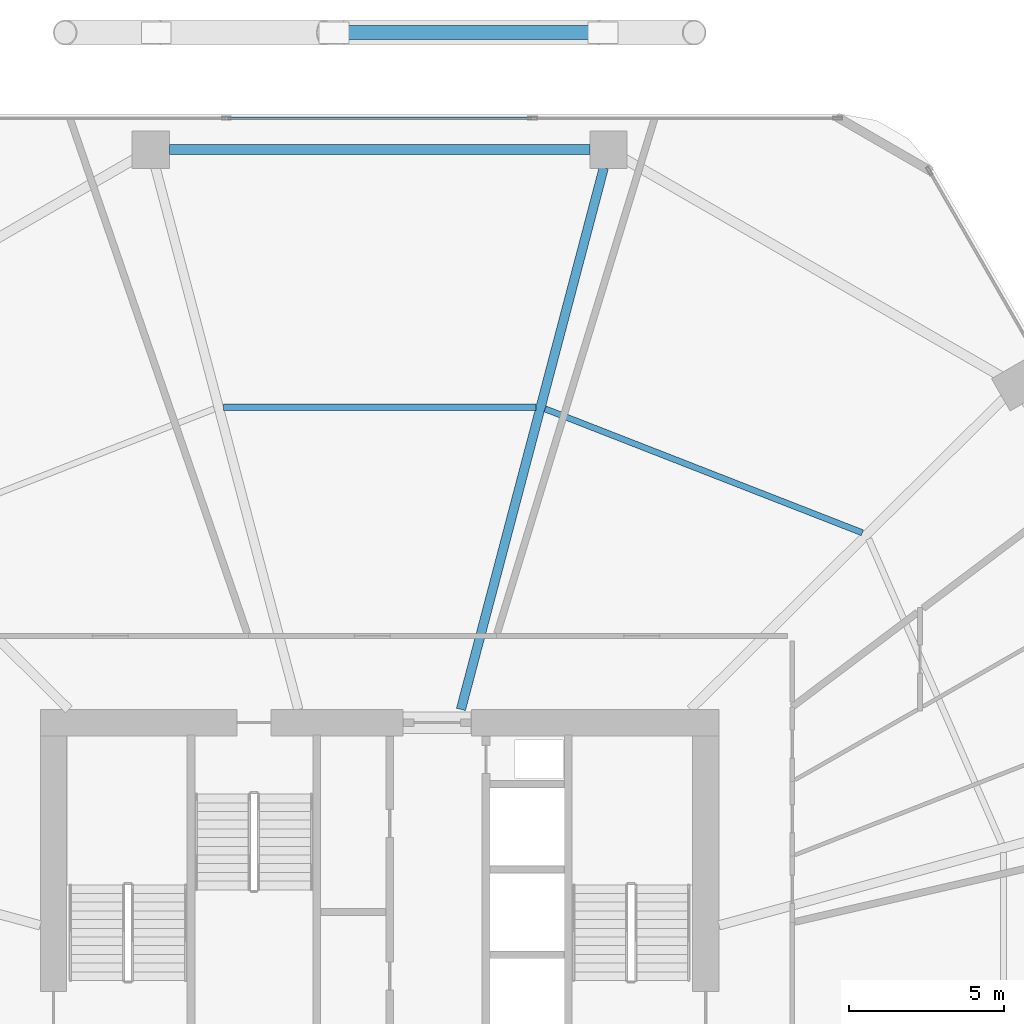
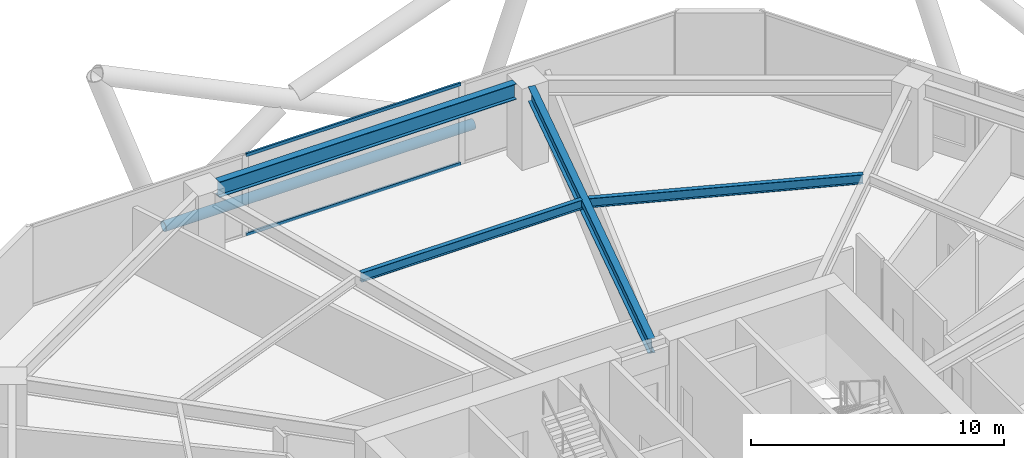
# One storey, part 20 of 28: 4 beams, 3 members, 1 element without a shape of its own.
"""IFC4 building model written with IfcOpenShell, lengths in metres."""

from ifc_helpers import new_model, si_unit, direction, frame, origin, origin_2d, place, context, subcontext, project, spatial, hollow_rectangle, hollow_circle, i_section, extrude, material, material_profile, profile_set, type_object, element, aggregate, save


model = new_model("IFC4")

# Units and contexts
model_context = context("Model", 3, precision=1e-05, world=origin(), true_north=direction((0.0, 1.0)))
body_context = subcontext(model_context, "Body", "Model", "MODEL_VIEW")
ifc_project = project(units=[si_unit("LENGTHUNIT", "METRE"), si_unit("AREAUNIT", "SQUARE_METRE"), si_unit("VOLUMEUNIT", "CUBIC_METRE"), si_unit("PLANEANGLEUNIT", "RADIAN"), si_unit("MASSUNIT", "GRAM", prefix="KILO")], contexts=[model_context])

# Site, building, storey
site_placement = place(None, origin())
site = spatial("IfcSite", under=ifc_project, at=site_placement, CompositionType="ELEMENT")
building_placement = place(site_placement, origin())
building = spatial("IfcBuilding", under=site, at=building_placement, Name="Zuhravey Tower", CompositionType="ELEMENT")
storey_placement = place(building_placement, frame((0.0, 0.0, 49.800048828125)))
storey = spatial("IfcBuildingStorey", under=building, at=storey_placement, Name="L12", CompositionType="ELEMENT", Elevation=49.800048828125)

# Curtain wall, members
ifc_material_1 = material(Name="Thermally broken anodised aluminium", Category="aluminium")
curtain_wall_type = type_object("IfcCurtainWallType", Name="School Low-E Unitised Curtain Wall CW1", PredefinedType="NOTDEFINED", material=ifc_material_1)
curtain_wall_placement = place(storey_placement, origin())
curtain_wall = element("IfcCurtainWall", 1, at=curtain_wall_placement, inside=storey, type_object=curtain_wall_type, Name="L12 CW1 CW-L12-F2-1", PredefinedType="NOTDEFINED")
ifc_material_2 = material(Name="Anodised aluminium", Category="aluminium")
ifc_material_profile_1 = material_profile(ifc_material_2, hollow_rectangle(XDim=0.090087890625, YDim=0.14990234375, WallThickness=0.0048828125, at=origin_2d()), Name="ALU-RHS-90x150x5")
ifc_profile_set_1 = profile_set([ifc_material_profile_1], Name="Anodised aluminium")
member_type_1 = type_object("IfcMemberType", Name="Curtain-Wall Transom 90x150", PredefinedType="USERDEFINED", material=ifc_profile_set_1)
member_1_placement = place(storey_placement, frame((31.11181640625, 60.95849609375, 0.044921875), z_axis=(1.0, 0.0, 0.0), x_axis=(0.0, 1.0, 0.0)))
member_1 = element("IfcMember", 2, at=member_1_placement, type_object=member_type_1, Name="CW1 transom 2.1", ObjectType="TRANSOM", PredefinedType="USERDEFINED", context=body_context, shape_type="SweptSolid", body=[
    extrude(hollow_rectangle(XDim=0.090087890625, YDim=0.14990234375, WallThickness=0.0048828125, at=origin_2d()), origin(), (0.0, 0.0, 1.0), 9.7763671875),
])
member_2_placement = place(storey_placement, frame((31.11181640625, 60.95849609375, 3.875), z_axis=(1.0, 0.0, 0.0), x_axis=(0.0, 1.0, 0.0)))
member_2 = element("IfcMember", 3, at=member_2_placement, type_object=member_type_1, Name="CW1 transom 2.2", ObjectType="TRANSOM", PredefinedType="USERDEFINED", context=body_context, shape_type="SweptSolid", body=[
    extrude(hollow_rectangle(XDim=0.090087890625, YDim=0.14990234375, WallThickness=0.0048828125, at=origin_2d()), origin(), (0.0, 0.0, 1.0), 9.7763671875),
])
aggregate(curtain_wall, [member_1, member_2])

# Member
ifc_material_3 = material(Name="Steel SM355", Category="steel")
ifc_material_profile_2 = material_profile(ifc_material_3, hollow_circle(Radius=0.228515625, WallThickness=0.02197265625, at=origin_2d()), Name="CHS-457.2x22")
ifc_profile_set_2 = profile_set([ifc_material_profile_2], Name="Steel SM355")
member_type_2 = type_object("IfcMemberType", Name="Exoskeleton Ring Tie CHS457x22", PredefinedType="CHORD", material=ifc_profile_set_2)
member_3_placement = place(storey_placement, frame((43.053955078125, 63.718505859375, -0.494140625), z_axis=(-1.0, 0.0, 0.0), x_axis=(0.0, -1.0, 0.0)))
element("IfcMember", 4, at=member_3_placement, inside=storey, type_object=member_type_2, Name="L12 Exoskeleton Face 2 Tie EXR1", PredefinedType="CHORD", context=body_context, shape_type="SweptSolid", body=[
    extrude(hollow_circle(Radius=0.228515625, WallThickness=0.02197265625, at=origin_2d()), origin(), (0.0, 0.0, 1.0), 14.10791015625),
])

# Beams
ifc_material_profile_3 = material_profile(ifc_material_3, i_section(OverallWidth=0.320068359375, OverallDepth=0.75, WebThickness=0.013916015625, FlangeThickness=0.02490234375, at=origin_2d()), Name="H-750x320x14x25")
ifc_profile_set_3 = profile_set([ifc_material_profile_3], Name="Steel SM355")
beam_type_1 = type_object("IfcBeamType", Name="Perimeter Ring Beam H750x320", PredefinedType="BEAM", material=ifc_profile_set_3)
beam_1_placement = place(storey_placement, frame((42.76708984375, 59.948486328125, 3.544921875), z_axis=(-1.0, 0.0, 0.0), x_axis=(0.0, -1.0, 0.0)))
element("IfcBeam", 5, at=beam_1_placement, inside=storey, type_object=beam_type_1, Name="L12 PB1 BM-L12-PB-03", PredefinedType="BEAM", context=body_context, shape_type="SweptSolid", body=[
    extrude(i_section(OverallWidth=0.320068359375, OverallDepth=0.75, WebThickness=0.013916015625, FlangeThickness=0.02490234375, at=origin_2d()), origin(), (0.0, 0.0, 1.0), 13.5341796875),
])
ifc_material_profile_4 = material_profile(ifc_material_3, i_section(OverallWidth=0.300048828125, OverallDepth=0.699951171875, WebThickness=0.012939453125, FlangeThickness=0.02392578125, at=origin_2d()), Name="H-700x300x13x24")
ifc_profile_set_4 = profile_set([ifc_material_profile_4], Name="Steel SM355")
beam_type_2 = type_object("IfcBeamType", Name="Radial Primary Girder H700x300", PredefinedType="BEAM", material=ifc_profile_set_4)
beam_2_placement = place(storey_placement, frame((38.617919921875, 41.927978515625, 3.570068359375), z_axis=(0.254989720435, 0.966943763862, 0.0), x_axis=(-0.966943763862, 0.254989720435, 0.0)))
element("IfcBeam", 6, at=beam_2_placement, inside=storey, type_object=beam_type_2, Name="L12 RG1 BM-L12-RAD-03", PredefinedType="BEAM", context=body_context, shape_type="SweptSolid", body=[
    extrude(i_section(OverallWidth=0.300048828125, OverallDepth=0.699951171875, WebThickness=0.012939453125, FlangeThickness=0.02392578125, at=origin_2d()), origin(), (0.0, 0.0, 1.0), 18.03369140625),
])
ifc_material_profile_5 = material_profile(ifc_material_3, i_section(OverallWidth=0.199951171875, OverallDepth=0.449951171875, WebThickness=0.009033203125, FlangeThickness=0.013916015625, at=origin_2d()), Name="H-450x200x9x14")
ifc_profile_set_5 = profile_set([ifc_material_profile_5], Name="Steel SM355")
beam_type_3 = type_object("IfcBeamType", Name="Secondary Floor Joist H450x200", PredefinedType="JOIST", material=ifc_profile_set_5)
beam_3_placement = place(storey_placement, frame((51.5400390625, 47.61572265625, 3.695068359375), z_axis=(-0.931516535886, 0.363698973562, 0.0), x_axis=(-0.363698973562, -0.931516535886, 0.0)))
element("IfcBeam", 7, at=beam_3_placement, inside=storey, type_object=beam_type_3, Name="L12 SJ1 BM-L12-SJ-02-1", PredefinedType="JOIST", context=body_context, shape_type="SweptSolid", body=[
    extrude(i_section(OverallWidth=0.199951171875, OverallDepth=0.449951171875, WebThickness=0.009033203125, FlangeThickness=0.013916015625, at=origin_2d()), origin(), (0.0, 0.0, 1.0), 10.963134765625),
])
beam_4_placement = place(storey_placement, frame((41.030029296875, 51.6591796875, 3.695068359375), z_axis=(-1.0, 0.0, 0.0), x_axis=(0.0, -1.0, 0.0)))
element("IfcBeam", 8, at=beam_4_placement, inside=storey, type_object=beam_type_3, Name="L12 SJ1 BM-L12-SJ-03-1", PredefinedType="JOIST", context=body_context, shape_type="SweptSolid", body=[
    extrude(i_section(OverallWidth=0.199951171875, OverallDepth=0.449951171875, WebThickness=0.009033203125, FlangeThickness=0.013916015625, at=origin_2d()), origin(), (0.0, 0.0, 1.0), 10.06005859375),
])

save(model, "model.ifc")
